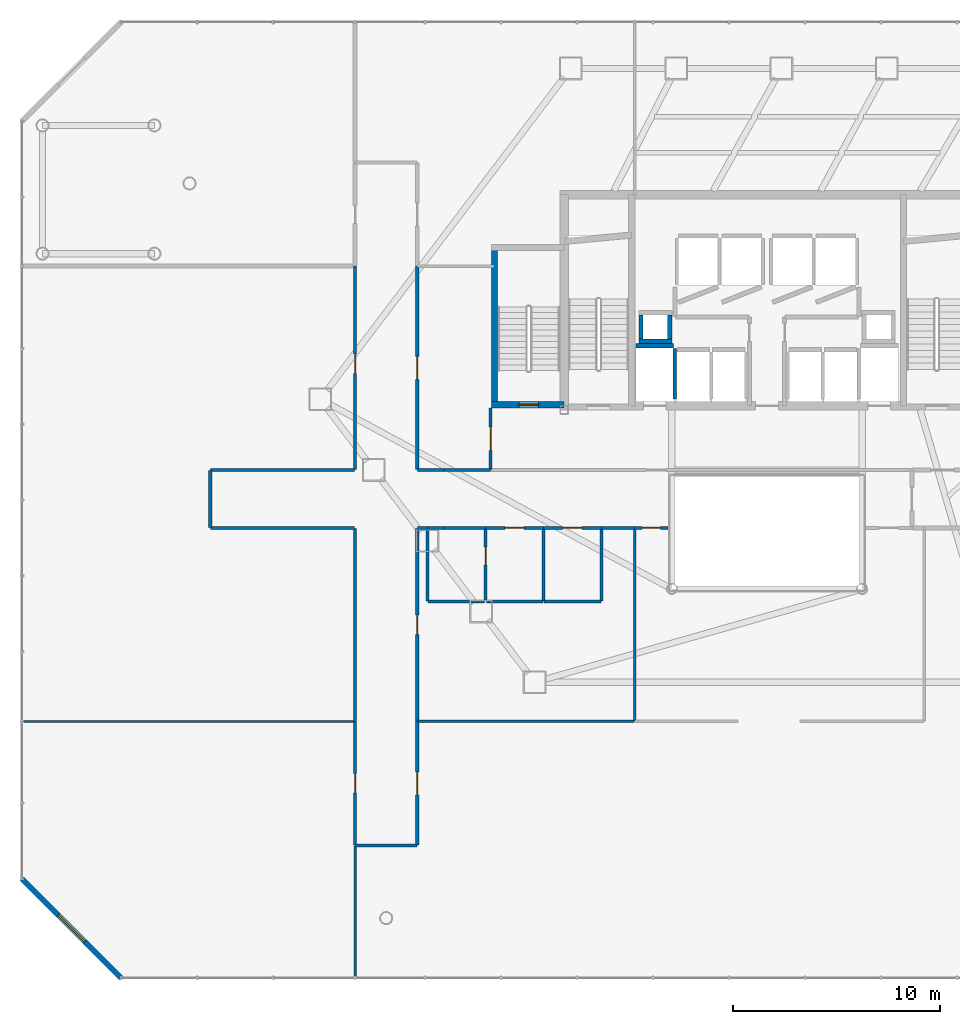
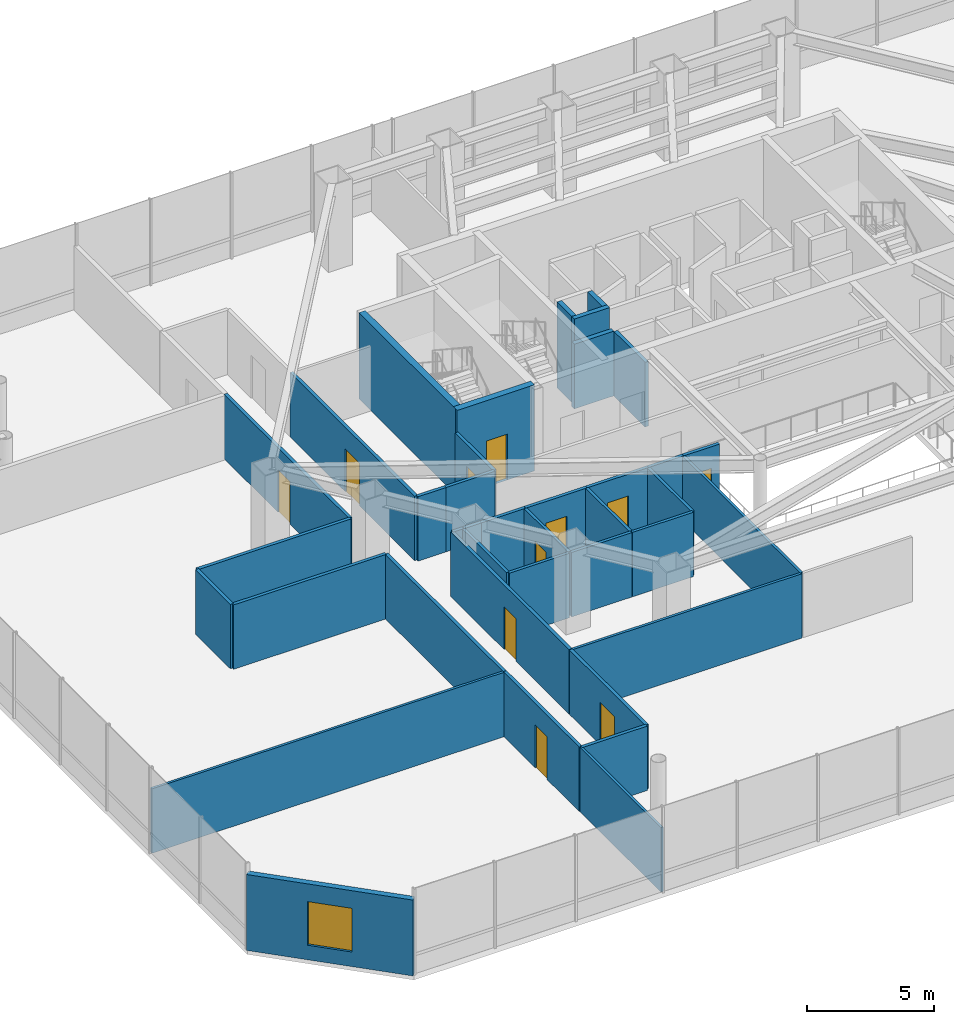
# One storey, part 34 of 37: 39 walls, 11 doors, 1 window, 12 openings.
"""IFC4 building model written with IfcOpenShell, lengths in metres."""

from ifc_helpers import new_model, si_unit, direction, frame, frame_2d, origin, place, context, subcontext, project, spatial, rectangle, extrude, material, layer, layer_set, type_object, element, fill, save


model = new_model("IFC4")

# Units and contexts
model_context = context("Model", 3, precision=1e-05, world=origin(), true_north=direction((0.0, 1.0)))
body_context = subcontext(model_context, "Body", "Model", "MODEL_VIEW")
ifc_project = project(units=[si_unit("LENGTHUNIT", "METRE"), si_unit("AREAUNIT", "SQUARE_METRE"), si_unit("VOLUMEUNIT", "CUBIC_METRE"), si_unit("PLANEANGLEUNIT", "RADIAN"), si_unit("MASSUNIT", "GRAM", prefix="KILO")], contexts=[model_context])

# Site, building, storey
site_placement = place(None, origin())
site = spatial("IfcSite", under=ifc_project, at=site_placement, CompositionType="ELEMENT")
building_placement = place(site_placement, origin())
building = spatial("IfcBuilding", under=site, at=building_placement, Name="Zarrinselat Tower", CompositionType="ELEMENT")
storey_placement = place(building_placement, frame((0.0, 0.0, 9.52001953125)))
storey = spatial("IfcBuildingStorey", under=building, at=storey_placement, Name="L02", CompositionType="ELEMENT", Elevation=9.52001953125)

# Wall, opening, window
ifc_material_1 = material(Name="Honed Cream Travertine Stone", Category="masonry")
ifc_layer_1 = layer(ifc_material_1, 0.260009765625)
ifc_layer_set_1 = layer_set([ifc_layer_1], Name="Honed Cream Travertine Stone")
wall_type_1 = type_object("IfcWallType", Name="WAL-EXT-STONE-260", PredefinedType="STANDARD", material=ifc_layer_set_1)
wall_1_placement = place(storey_placement, frame((2.39990234375, 10.39990234375, 0.0), z_axis=(0.0, 0.0, 1.0), x_axis=(0.707124763888, -0.707088798028, 0.0)))
wall_1 = element("IfcWall", 1, at=wall_1_placement, inside=storey, type_object=wall_type_1, Name="L02 Chamfered Stone Corner Wall 7", PredefinedType="STANDARD", context=body_context, shape_type="SweptSolid", body=[
    extrude(rectangle(XDim=6.7880859375, YDim=0.260009765625, at=frame_2d((3.39404296875, 0.0))), origin(), (0.0, 0.0, 1.0), 3.64990234375),
])
opening_1_placement = place(wall_1_placement, frame((2.494140625, 0.0, 0.699951171875)))
opening_1 = element("IfcOpeningElement", 2, at=opening_1_placement, cuts=wall_1, Name="Opening WN-2", PredefinedType="OPENING", context=body_context, shape_type="SweptSolid", body=[
    extrude(rectangle(XDim=1.800048828125, YDim=2.10009765625, at=frame_2d((0.89990234375, 1.050048828125))), frame((0.0, 0.139892578125, 0.0), z_axis=(0.0, -1.0, 0.0), x_axis=(1.0, 0.0, 0.0)), (0.0, 0.0, 1.0), 0.280029296875),
])
ifc_material_2 = material(Name="Double Low-E Laminated Solar Glass", Category="glass")
window_type = type_object("IfcWindowType", Name="WIN-GALLERY-1800", PartitioningType="SINGLE_PANEL", PredefinedType="WINDOW", material=ifc_material_2)
window_placement = place(opening_1_placement, origin())
window = element("IfcWindow", 3, at=window_placement, inside=storey, type_object=window_type, Name="L02 Corner Gallery Window 7", OverallHeight=2.10009765625, OverallWidth=1.800048828125, PartitioningType="SINGLE_PANEL", PredefinedType="WINDOW", context=body_context, shape_type="SweptSolid", body=[
    extrude(rectangle(XDim=1.800048828125, YDim=2.10009765625, at=frame_2d((0.89990234375, 1.050048828125))), frame((0.0, 0.030029296875, 0.0), z_axis=(0.0, -1.0, 0.0), x_axis=(1.0, 0.0, 0.0)), (0.0, 0.0, 1.0), 0.06005859375),
])
fill(opening_1, window)

# Wall, opening, door
ifc_material_3 = material(Name="Fire-Rated Gypsum Board Partition", Category="gypsum")
ifc_layer_2 = layer(ifc_material_3, 0.14990234375)
ifc_layer_set_2 = layer_set([ifc_layer_2], Name="Fire-Rated Gypsum Board Partition")
wall_type_2 = type_object("IfcWallType", Name="WAL-PART-EI60", PredefinedType="PARTITIONING", material=ifc_layer_set_2)
wall_2_placement = place(storey_placement, frame((25.050048828125, 30.169921875, 0.0), z_axis=(0.0, 0.0, 1.0), x_axis=(0.0, 1.0, 0.0)))
wall_2 = element("IfcWall", 4, at=wall_2_placement, inside=storey, type_object=wall_type_2, Name="L02 Partition Wall 9", PredefinedType="PARTITIONING", context=body_context, shape_type="SweptSolid", body=[
    extrude(rectangle(XDim=2.97998046875, YDim=0.14990234375, at=frame_2d((1.489990234375, 0.0))), origin(), (0.0, 0.0, 1.0), 3.096923828125),
])
opening_2_placement = place(wall_2_placement, frame((0.929931640625, 0.0, 0.0)))
opening_2 = element("IfcOpeningElement", 5, at=opening_2_placement, cuts=wall_2, Name="Opening ID-02", PredefinedType="OPENING", context=body_context, shape_type="SweptSolid", body=[
    extrude(rectangle(XDim=1.1201171875, YDim=2.050048828125, at=frame_2d((0.56005859375, 1.02490234375))), frame((0.0, 0.0849609375, 0.0), z_axis=(0.0, -1.0, 0.0), x_axis=(1.0, 0.0, 0.0)), (0.0, 0.0, 1.0), 0.169921875),
])
ifc_material_4 = material(Name="Steel S355J2", Category="steel")
door_type_1 = type_object("IfcDoorType", Name="DR-INT-FD60-W", OperationType="NOTDEFINED", PredefinedType="DOOR", material=ifc_material_4)
door_1_placement = place(opening_2_placement, origin())
door_1 = element("IfcDoor", 6, at=door_1_placement, inside=storey, type_object=door_type_1, Name="L02 Interior Door P9", OperationType="SINGLE_SWING_RIGHT", OverallHeight=2.050048828125, OverallWidth=1.1201171875, PredefinedType="DOOR", context=body_context, shape_type="SweptSolid", body=[
    extrude(rectangle(XDim=1.1201171875, YDim=2.050048828125, at=frame_2d((0.56005859375, 1.02490234375))), frame((0.0, 0.02490234375, 0.0), z_axis=(0.0, -1.0, 0.0), x_axis=(1.0, 0.0, 0.0)), (0.0, 0.0, 1.0), 0.050048828125),
])
fill(opening_2, door_1)

# Walls
wall_3_placement = place(storey_placement, frame((22.800048828125, 27.35009765625, 0.0), z_axis=(0.0, 0.0, 1.0), x_axis=(1.0, 0.0, 0.0)))
element("IfcWall", 7, at=wall_3_placement, inside=storey, type_object=wall_type_2, Name="L02 Partition Wall 13", PredefinedType="PARTITIONING", context=body_context, shape_type="SweptSolid", body=[
    extrude(rectangle(XDim=1.994873046875, YDim=0.14990234375, at=frame_2d((0.99755859375, 0.0))), origin(), (0.0, 0.0, 1.0), 3.096923828125),
])
wall_4_placement = place(storey_placement, frame((22.0048828125, 27.35009765625, 0.0), z_axis=(0.0, 0.0, 1.0), x_axis=(1.0, 0.0, 0.0)))
element("IfcWall", 8, at=wall_4_placement, inside=storey, type_object=wall_type_2, Name="L02 Partition Wall 14", PredefinedType="PARTITIONING", context=body_context, shape_type="SweptSolid", body=[
    extrude(rectangle(XDim=0.795166015625, YDim=0.14990234375, at=frame_2d((0.3974609375, 0.0))), origin(), (0.0, 0.0, 1.0), 3.096923828125),
])

# Wall, opening, door
wall_5_placement = place(storey_placement, frame((24.804931640625, 27.35009765625, 0.0), z_axis=(0.0, 0.0, 1.0), x_axis=(1.0, 0.0, 0.0)))
wall_5 = element("IfcWall", 9, at=wall_5_placement, inside=storey, type_object=wall_type_2, Name="L02 Partition Wall 15", PredefinedType="PARTITIONING", context=body_context, shape_type="SweptSolid", body=[
    extrude(rectangle(XDim=2.7900390625, YDim=0.14990234375, at=frame_2d((1.39501953125, 0.0))), origin(), (0.0, 0.0, 1.0), 3.096923828125),
])
opening_3_placement = place(wall_5_placement, frame((0.925048828125, 0.0, 0.0)))
opening_3 = element("IfcOpeningElement", 10, at=opening_3_placement, cuts=wall_5, Name="Opening ID-04", PredefinedType="OPENING", context=body_context, shape_type="SweptSolid", body=[
    extrude(rectangle(XDim=0.93994140625, YDim=2.050048828125, at=frame_2d((0.469970703125, 1.02490234375))), frame((0.0, 0.0849609375, 0.0), z_axis=(0.0, -1.0, 0.0), x_axis=(1.0, 0.0, 0.0)), (0.0, 0.0, 1.0), 0.169921875),
])
ifc_material_5 = material(Name="Fire-Rated Gypsum Board Partition")
door_type_2 = type_object("IfcDoorType", Name="DR-INT-FD30-ENT", OperationType="NOTDEFINED", PredefinedType="DOOR", material=ifc_material_5)
door_2_placement = place(opening_3_placement, origin())
door_2 = element("IfcDoor", 11, at=door_2_placement, inside=storey, type_object=door_type_2, Name="L02 Interior Door P15", OperationType="SINGLE_SWING_RIGHT", OverallHeight=2.050048828125, OverallWidth=0.93994140625, PredefinedType="DOOR", context=body_context, shape_type="SweptSolid", body=[
    extrude(rectangle(XDim=0.93994140625, YDim=2.050048828125, at=frame_2d((0.469970703125, 1.02490234375))), frame((0.0, 0.02490234375, 0.0), z_axis=(0.0, -1.0, 0.0), x_axis=(1.0, 0.0, 0.0)), (0.0, 0.0, 1.0), 0.050048828125),
])
fill(opening_3, door_2)

wall_6_placement = place(storey_placement, frame((27.60498046875, 27.35009765625, 0.0), z_axis=(0.0, 0.0, 1.0), x_axis=(1.0, 0.0, 0.0)))
wall_6 = element("IfcWall", 12, at=wall_6_placement, inside=storey, type_object=wall_type_2, Name="L02 Partition Wall 16", PredefinedType="PARTITIONING", context=body_context, shape_type="SweptSolid", body=[
    extrude(rectangle(XDim=2.7900390625, YDim=0.14990234375, at=frame_2d((1.39501953125, 0.0))), origin(), (0.0, 0.0, 1.0), 3.096923828125),
])
opening_4_placement = place(wall_6_placement, frame((0.925048828125, 0.0, 0.0)))
opening_4 = element("IfcOpeningElement", 13, at=opening_4_placement, cuts=wall_6, Name="Opening ID-04", PredefinedType="OPENING", context=body_context, shape_type="SweptSolid", body=[
    extrude(rectangle(XDim=0.93994140625, YDim=2.050048828125, at=frame_2d((0.469970703125, 1.02490234375))), frame((0.0, 0.0849609375, 0.0), z_axis=(0.0, -1.0, 0.0), x_axis=(1.0, 0.0, 0.0)), (0.0, 0.0, 1.0), 0.169921875),
])
door_3_placement = place(opening_4_placement, origin())
door_3 = element("IfcDoor", 14, at=door_3_placement, inside=storey, type_object=door_type_2, Name="L02 Interior Door P16", OperationType="SINGLE_SWING_LEFT", OverallHeight=2.050048828125, OverallWidth=0.93994140625, PredefinedType="DOOR", context=body_context, shape_type="SweptSolid", body=[
    extrude(rectangle(XDim=0.93994140625, YDim=2.050048828125, at=frame_2d((0.469970703125, 1.02490234375))), frame((0.0, 0.02490234375, 0.0), z_axis=(0.0, -1.0, 0.0), x_axis=(1.0, 0.0, 0.0)), (0.0, 0.0, 1.0), 0.050048828125),
])
fill(opening_4, door_3)

wall_7_placement = place(storey_placement, frame((21.5, 12.02001953125, 0.0), z_axis=(0.0, 0.0, 1.0), x_axis=(0.0, 1.0, 0.0)))
wall_7 = element("IfcWall", 15, at=wall_7_placement, inside=storey, type_object=wall_type_2, Name="L02 Partition Wall 17", PredefinedType="PARTITIONING", context=body_context, shape_type="SweptSolid", body=[
    extrude(rectangle(XDim=5.97509765625, YDim=0.14990234375, at=frame_2d((2.987548828125, 0.0))), origin(), (0.0, 0.0, 1.0), 3.096923828125),
])
opening_5_placement = place(wall_7_placement, frame((2.427490234375, 0.0, 0.0)))
opening_5 = element("IfcOpeningElement", 16, at=opening_5_placement, cuts=wall_7, Name="Opening ID-02", PredefinedType="OPENING", context=body_context, shape_type="SweptSolid", body=[
    extrude(rectangle(XDim=1.1201171875, YDim=2.050048828125, at=frame_2d((0.56005859375, 1.02490234375))), frame((0.0, 0.0849609375, 0.0), z_axis=(0.0, -1.0, 0.0), x_axis=(1.0, 0.0, 0.0)), (0.0, 0.0, 1.0), 0.169921875),
])
door_4_placement = place(opening_5_placement, origin())
door_4 = element("IfcDoor", 17, at=door_4_placement, inside=storey, type_object=door_type_1, Name="L02 Interior Door P17", OperationType="SINGLE_SWING_RIGHT", OverallHeight=2.050048828125, OverallWidth=1.1201171875, PredefinedType="DOOR", context=body_context, shape_type="SweptSolid", body=[
    extrude(rectangle(XDim=1.1201171875, YDim=2.050048828125, at=frame_2d((0.56005859375, 1.02490234375))), frame((0.0, 0.02490234375, 0.0), z_axis=(0.0, -1.0, 0.0), x_axis=(1.0, 0.0, 0.0)), (0.0, 0.0, 1.0), 0.050048828125),
])
fill(opening_5, door_4)

# Wall
wall_8_placement = place(storey_placement, frame((18.52001953125, 12.0, 0.0), z_axis=(0.0, 0.0, 1.0), x_axis=(1.0, 0.0, 0.0)))
element("IfcWall", 18, at=wall_8_placement, inside=storey, type_object=wall_type_2, Name="L02 Partition Wall 18", PredefinedType="PARTITIONING", context=body_context, shape_type="SweptSolid", body=[
    extrude(rectangle(XDim=2.9599609375, YDim=0.14990234375, at=frame_2d((1.47998046875, 0.0))), origin(), (0.0, 0.0, 1.0), 3.096923828125),
])

# Wall, opening, door
wall_9_placement = place(storey_placement, frame((18.5, 12.02001953125, 0.0), z_axis=(0.0, 0.0, 1.0), x_axis=(0.0, 1.0, 0.0)))
wall_9 = element("IfcWall", 19, at=wall_9_placement, inside=storey, type_object=wall_type_2, Name="L02 Partition Wall 19", PredefinedType="PARTITIONING", context=body_context, shape_type="SweptSolid", body=[
    extrude(rectangle(XDim=5.97509765625, YDim=0.14990234375, at=frame_2d((2.987548828125, 0.0))), origin(), (0.0, 0.0, 1.0), 3.096923828125),
])
opening_6_placement = place(wall_9_placement, frame((2.517578125, 0.0, 0.0)))
opening_6 = element("IfcOpeningElement", 20, at=opening_6_placement, cuts=wall_9, Name="Opening ID-04", PredefinedType="OPENING", context=body_context, shape_type="SweptSolid", body=[
    extrude(rectangle(XDim=0.93994140625, YDim=2.050048828125, at=frame_2d((0.469970703125, 1.02490234375))), frame((0.0, 0.0849609375, 0.0), z_axis=(0.0, -1.0, 0.0), x_axis=(1.0, 0.0, 0.0)), (0.0, 0.0, 1.0), 0.169921875),
])
door_5_placement = place(opening_6_placement, origin())
door_5 = element("IfcDoor", 21, at=door_5_placement, inside=storey, type_object=door_type_2, Name="L02 Interior Door P19", OperationType="SINGLE_SWING_LEFT", OverallHeight=2.050048828125, OverallWidth=0.93994140625, PredefinedType="DOOR", context=body_context, shape_type="SweptSolid", body=[
    extrude(rectangle(XDim=0.93994140625, YDim=2.050048828125, at=frame_2d((0.469970703125, 1.02490234375))), frame((0.0, 0.02490234375, 0.0), z_axis=(0.0, -1.0, 0.0), x_axis=(1.0, 0.0, 0.0)), (0.0, 0.0, 1.0), 0.050048828125),
])
fill(opening_6, door_5)

# Walls
wall_10_placement = place(storey_placement, frame((30.405029296875, 27.35009765625, 0.0), z_axis=(0.0, 0.0, 1.0), x_axis=(1.0, 0.0, 0.0)))
element("IfcWall", 22, at=wall_10_placement, inside=storey, type_object=wall_type_2, Name="L02 Partition Wall 20", PredefinedType="PARTITIONING", context=body_context, shape_type="SweptSolid", body=[
    extrude(rectangle(XDim=1.590087890625, YDim=0.14990234375, at=frame_2d((0.794921875, 0.0))), origin(), (0.0, 0.0, 1.0), 3.096923828125),
])
wall_11_placement = place(storey_placement, frame((21.52001953125, 27.35009765625, 0.0), z_axis=(0.0, 0.0, 1.0), x_axis=(1.0, 0.0, 0.0)))
element("IfcWall", 23, at=wall_11_placement, inside=storey, type_object=wall_type_2, Name="L02 Partition Wall 21", PredefinedType="PARTITIONING", context=body_context, shape_type="SweptSolid", body=[
    extrude(rectangle(XDim=0.47509765625, YDim=0.14990234375, at=frame_2d((0.237548828125, 0.0))), origin(), (0.0, 0.0, 1.0), 3.096923828125),
])

# Wall, opening, door
wall_12_placement = place(storey_placement, frame((21.5, 18.0048828125, 0.0), z_axis=(0.0, 0.0, 1.0), x_axis=(0.0, 1.0, 0.0)))
wall_12 = element("IfcWall", 24, at=wall_12_placement, inside=storey, type_object=wall_type_2, Name="L02 Partition Wall 22", PredefinedType="PARTITIONING", context=body_context, shape_type="SweptSolid", body=[
    extrude(rectangle(XDim=9.3251953125, YDim=0.14990234375, at=frame_2d((4.66259765625, 0.0))), origin(), (0.0, 0.0, 1.0), 3.096923828125),
])
opening_7_placement = place(wall_12_placement, frame((4.1923828125, 0.0, 0.0)))
opening_7 = element("IfcOpeningElement", 25, at=opening_7_placement, cuts=wall_12, Name="Opening ID-04", PredefinedType="OPENING", context=body_context, shape_type="SweptSolid", body=[
    extrude(rectangle(XDim=0.93994140625, YDim=2.050048828125, at=frame_2d((0.469970703125, 1.02490234375))), frame((0.0, 0.0849609375, 0.0), z_axis=(0.0, -1.0, 0.0), x_axis=(1.0, 0.0, 0.0)), (0.0, 0.0, 1.0), 0.169921875),
])
door_6_placement = place(opening_7_placement, origin())
door_6 = element("IfcDoor", 26, at=door_6_placement, inside=storey, type_object=door_type_2, Name="L02 Interior Door P22", OperationType="SINGLE_SWING_RIGHT", OverallHeight=2.050048828125, OverallWidth=0.93994140625, PredefinedType="DOOR", context=body_context, shape_type="SweptSolid", body=[
    extrude(rectangle(XDim=0.93994140625, YDim=2.050048828125, at=frame_2d((0.469970703125, 1.02490234375))), frame((0.0, 0.02490234375, 0.0), z_axis=(0.0, -1.0, 0.0), x_axis=(1.0, 0.0, 0.0)), (0.0, 0.0, 1.0), 0.050048828125),
])
fill(opening_7, door_6)

wall_13_placement = place(storey_placement, frame((32.0048828125, 27.35009765625, 0.0), z_axis=(0.0, 0.0, 1.0), x_axis=(1.0, 0.0, 0.0)))
wall_13 = element("IfcWall", 27, at=wall_13_placement, inside=storey, type_object=wall_type_2, Name="L02 Partition Wall 23", PredefinedType="PARTITIONING", context=body_context, shape_type="SweptSolid", body=[
    extrude(rectangle(XDim=1.615234375, YDim=0.14990234375, at=frame_2d((0.8076171875, 0.0))), origin(), (0.0, 0.0, 1.0), 3.096923828125),
])
opening_8_placement = place(wall_13_placement, frame((0.367431640625, 0.0, 0.0)))
opening_8 = element("IfcOpeningElement", 28, at=opening_8_placement, cuts=wall_13, Name="Opening ID-03", PredefinedType="OPENING", context=body_context, shape_type="SweptSolid", body=[
    extrude(rectangle(XDim=0.8798828125, YDim=2.050048828125, at=frame_2d((0.43994140625, 1.02490234375))), frame((0.0, 0.0849609375, 0.0), z_axis=(0.0, -1.0, 0.0), x_axis=(1.0, 0.0, 0.0)), (0.0, 0.0, 1.0), 0.169921875),
])
ifc_material_6 = material(Name="Steel S355J2", Category="steel")
door_type_3 = type_object("IfcDoorType", Name="DR-INT-FD60-S", OperationType="NOTDEFINED", PredefinedType="DOOR", material=ifc_material_6)
door_7_placement = place(opening_8_placement, origin())
door_7 = element("IfcDoor", 29, at=door_7_placement, inside=storey, type_object=door_type_3, Name="L02 Interior Door P23", OperationType="SINGLE_SWING_LEFT", OverallHeight=2.050048828125, OverallWidth=0.8798828125, PredefinedType="DOOR", context=body_context, shape_type="SweptSolid", body=[
    extrude(rectangle(XDim=0.8798828125, YDim=2.050048828125, at=frame_2d((0.43994140625, 1.02490234375))), frame((0.0, 0.02490234375, 0.0), z_axis=(0.0, -1.0, 0.0), x_axis=(1.0, 0.0, 0.0)), (0.0, 0.0, 1.0), 0.050048828125),
])
fill(opening_8, door_7)

# Walls
wall_14_placement = place(storey_placement, frame((18.5, 18.0048828125, 0.0), z_axis=(0.0, 0.0, 1.0), x_axis=(0.0, 1.0, 0.0)))
element("IfcWall", 30, at=wall_14_placement, inside=storey, type_object=wall_type_2, Name="L02 Partition Wall 25", PredefinedType="PARTITIONING", context=body_context, shape_type="SweptSolid", body=[
    extrude(rectangle(XDim=9.3251953125, YDim=0.14990234375, at=frame_2d((4.66259765625, 0.0))), origin(), (0.0, 0.0, 1.0), 3.096923828125),
])
wall_15_placement = place(storey_placement, frame((11.52001953125, 27.35009765625, 0.0), z_axis=(0.0, 0.0, 1.0), x_axis=(1.0, 0.0, 0.0)))
element("IfcWall", 31, at=wall_15_placement, inside=storey, type_object=wall_type_2, Name="L02 Partition Wall 26", PredefinedType="PARTITIONING", context=body_context, shape_type="SweptSolid", body=[
    extrude(rectangle(XDim=6.9599609375, YDim=0.14990234375, at=frame_2d((3.47998046875, 0.0))), origin(), (0.0, 0.0, 1.0), 3.096923828125),
])
wall_16_placement = place(storey_placement, frame((11.5, 27.3701171875, 0.0), z_axis=(0.0, 0.0, 1.0), x_axis=(0.0, 1.0, 0.0)))
element("IfcWall", 32, at=wall_16_placement, inside=storey, type_object=wall_type_2, Name="L02 Partition Wall 27", PredefinedType="PARTITIONING", context=body_context, shape_type="SweptSolid", body=[
    extrude(rectangle(XDim=2.759765625, YDim=0.14990234375, at=frame_2d((1.3798828125, 0.0))), origin(), (0.0, 0.0, 1.0), 3.096923828125),
])
wall_17_placement = place(storey_placement, frame((11.52001953125, 30.14990234375, 0.0), z_axis=(0.0, 0.0, 1.0), x_axis=(1.0, 0.0, 0.0)))
element("IfcWall", 33, at=wall_17_placement, inside=storey, type_object=wall_type_2, Name="L02 Partition Wall 28", PredefinedType="PARTITIONING", context=body_context, shape_type="SweptSolid", body=[
    extrude(rectangle(XDim=6.9599609375, YDim=0.14990234375, at=frame_2d((3.47998046875, 0.0))), origin(), (0.0, 0.0, 1.0), 3.096923828125),
])

# Wall, opening, door
wall_18_placement = place(storey_placement, frame((18.5, 30.169921875, 0.0), z_axis=(0.0, 0.0, 1.0), x_axis=(0.0, 1.0, 0.0)))
wall_18 = element("IfcWall", 34, at=wall_18_placement, inside=storey, type_object=wall_type_2, Name="L02 Partition Wall 29", PredefinedType="PARTITIONING", context=body_context, shape_type="SweptSolid", body=[
    extrude(rectangle(XDim=9.8251953125, YDim=0.14990234375, at=frame_2d((4.91259765625, 0.0))), origin(), (0.0, 0.0, 1.0), 3.096923828125),
])
opening_9_placement = place(wall_18_placement, frame((4.642578125, 0.0, 0.0)))
opening_9 = element("IfcOpeningElement", 35, at=opening_9_placement, cuts=wall_18, Name="Opening ID-04", PredefinedType="OPENING", context=body_context, shape_type="SweptSolid", body=[
    extrude(rectangle(XDim=0.93994140625, YDim=2.050048828125, at=frame_2d((0.469970703125, 1.02490234375))), frame((0.0, 0.0849609375, 0.0), z_axis=(0.0, -1.0, 0.0), x_axis=(1.0, 0.0, 0.0)), (0.0, 0.0, 1.0), 0.169921875),
])
door_8_placement = place(opening_9_placement, origin())
door_8 = element("IfcDoor", 36, at=door_8_placement, inside=storey, type_object=door_type_2, Name="L02 Interior Door P29", OperationType="SINGLE_SWING_LEFT", OverallHeight=2.050048828125, OverallWidth=0.93994140625, PredefinedType="DOOR", context=body_context, shape_type="SweptSolid", body=[
    extrude(rectangle(XDim=0.93994140625, YDim=2.050048828125, at=frame_2d((0.469970703125, 1.02490234375))), frame((0.0, 0.02490234375, 0.0), z_axis=(0.0, -1.0, 0.0), x_axis=(1.0, 0.0, 0.0)), (0.0, 0.0, 1.0), 0.050048828125),
])
fill(opening_9, door_8)

wall_19_placement = place(storey_placement, frame((21.5, 30.169921875, 0.0), z_axis=(0.0, 0.0, 1.0), x_axis=(0.0, 1.0, 0.0)))
wall_19 = element("IfcWall", 37, at=wall_19_placement, inside=storey, type_object=wall_type_2, Name="L02 Partition Wall 30", PredefinedType="PARTITIONING", context=body_context, shape_type="SweptSolid", body=[
    extrude(rectangle(XDim=9.8251953125, YDim=0.14990234375, at=frame_2d((4.91259765625, 0.0))), origin(), (0.0, 0.0, 1.0), 3.096923828125),
])
opening_10_placement = place(wall_19_placement, frame((4.3525390625, 0.0, 0.0)))
opening_10 = element("IfcOpeningElement", 38, at=opening_10_placement, cuts=wall_19, Name="Opening ID-02", PredefinedType="OPENING", context=body_context, shape_type="SweptSolid", body=[
    extrude(rectangle(XDim=1.1201171875, YDim=2.050048828125, at=frame_2d((0.56005859375, 1.02490234375))), frame((0.0, 0.0849609375, 0.0), z_axis=(0.0, -1.0, 0.0), x_axis=(1.0, 0.0, 0.0)), (0.0, 0.0, 1.0), 0.169921875),
])
door_9_placement = place(opening_10_placement, origin())
door_9 = element("IfcDoor", 39, at=door_9_placement, inside=storey, type_object=door_type_1, Name="L02 Interior Door P30", OperationType="SINGLE_SWING_RIGHT", OverallHeight=2.050048828125, OverallWidth=1.1201171875, PredefinedType="DOOR", context=body_context, shape_type="SweptSolid", body=[
    extrude(rectangle(XDim=1.1201171875, YDim=2.050048828125, at=frame_2d((0.56005859375, 1.02490234375))), frame((0.0, 0.02490234375, 0.0), z_axis=(0.0, -1.0, 0.0), x_axis=(1.0, 0.0, 0.0)), (0.0, 0.0, 1.0), 0.050048828125),
])
fill(opening_10, door_9)

# Walls
wall_20_placement = place(storey_placement, frame((21.52001953125, 30.14990234375, 0.0), z_axis=(0.0, 0.0, 1.0), x_axis=(1.0, 0.0, 0.0)))
element("IfcWall", 40, at=wall_20_placement, inside=storey, type_object=wall_type_2, Name="L02 Partition Wall 31", PredefinedType="PARTITIONING", context=body_context, shape_type="SweptSolid", body=[
    extrude(rectangle(XDim=1.280029296875, YDim=0.14990234375, at=frame_2d((0.64013671875, 0.0))), origin(), (0.0, 0.0, 1.0), 3.096923828125),
])
wall_21_placement = place(storey_placement, frame((22.800048828125, 30.14990234375, 0.0), z_axis=(0.0, 0.0, 1.0), x_axis=(1.0, 0.0, 0.0)))
element("IfcWall", 41, at=wall_21_placement, inside=storey, type_object=wall_type_2, Name="L02 Partition Wall 32", PredefinedType="PARTITIONING", context=body_context, shape_type="SweptSolid", body=[
    extrude(rectangle(XDim=2.22998046875, YDim=0.14990234375, at=frame_2d((1.114990234375, 0.0))), origin(), (0.0, 0.0, 1.0), 3.096923828125),
])
ifc_material_7 = material(Name="Extruded Aluminium Alloy EN AW-6063 T6", Category="aluminium")
ifc_layer_3 = layer(ifc_material_7, 0.114990234375)
ifc_layer_set_3 = layer_set([ifc_layer_3], Name="Extruded Aluminium Alloy EN AW-6063 T6")
wall_type_3 = type_object("IfcWallType", Name="WAL-PART-MOV", PredefinedType="MOVABLE", material=ifc_layer_set_3)
wall_22_placement = place(storey_placement, frame((18.5, 5.614990234375, 0.0), z_axis=(0.0, 0.0, 1.0), x_axis=(0.0, 1.0, 0.0)))
element("IfcWall", 42, at=wall_22_placement, inside=storey, type_object=wall_type_3, Name="L02 Partition Wall 43", PredefinedType="MOVABLE", context=body_context, shape_type="SweptSolid", body=[
    extrude(rectangle(XDim=6.364990234375, YDim=0.114990234375, at=frame_2d((3.1826171875, 0.0))), origin(), (0.0, 0.0, 1.0), 3.096923828125),
])
wall_23_placement = place(storey_placement, frame((2.4150390625, 18.0, 0.0), z_axis=(0.0, 0.0, 1.0), x_axis=(1.0, 0.0, 0.0)))
element("IfcWall", 43, at=wall_23_placement, inside=storey, type_object=wall_type_3, Name="L02 Partition Wall 49", PredefinedType="MOVABLE", context=body_context, shape_type="SweptSolid", body=[
    extrude(rectangle(XDim=16.06494140625, YDim=0.114990234375, at=frame_2d((8.032470703125, 0.0))), origin(), (0.0, 0.0, 1.0), 3.096923828125),
])
ifc_material_8 = material(Name="Fire-Rated Gypsum Board Partition", Category="gypsum")
ifc_layer_4 = layer(ifc_material_8, 0.1201171875)
ifc_layer_set_4 = layer_set([ifc_layer_4], Name="Fire-Rated Gypsum Board Partition")
wall_type_4 = type_object("IfcWallType", Name="WAL-PART-STD", PredefinedType="PARTITIONING", material=ifc_layer_set_4)
wall_24_placement = place(storey_placement, frame((21.52001953125, 18.0, 0.0), z_axis=(0.0, 0.0, 1.0), x_axis=(1.0, 0.0, 0.0)))
element("IfcWall", 44, at=wall_24_placement, inside=storey, type_object=wall_type_4, Name="L02 Partition Wall 44", PredefinedType="PARTITIONING", context=body_context, shape_type="SweptSolid", body=[
    extrude(rectangle(XDim=10.4599609375, YDim=0.1201171875, at=frame_2d((5.22998046875, 0.0))), origin(), (0.0, 0.0, 1.0), 3.096923828125),
])
wall_25_placement = place(storey_placement, frame((32.0, 18.02001953125, 0.0), z_axis=(0.0, 0.0, 1.0), x_axis=(0.0, 1.0, 0.0)))
element("IfcWall", 45, at=wall_25_placement, inside=storey, type_object=wall_type_4, Name="L02 Partition Wall 50", PredefinedType="PARTITIONING", context=body_context, shape_type="SweptSolid", body=[
    extrude(rectangle(XDim=9.31005859375, YDim=0.1201171875, at=frame_2d((4.655029296875, 0.0))), origin(), (0.0, 0.0, 1.0), 3.096923828125),
])

# Wall, opening, door
ifc_material_9 = material(Name="Fire-Rated Gypsum Board Partition", Category="gypsum")
ifc_layer_5 = layer(ifc_material_9, 0.135009765625)
ifc_layer_set_5 = layer_set([ifc_layer_5], Name="Fire-Rated Gypsum Board Partition")
wall_type_5 = type_object("IfcWallType", Name="WAL-PART-WET", PredefinedType="PARTITIONING", material=ifc_layer_set_5)
wall_26_placement = place(storey_placement, frame((24.800048828125, 23.847900390625, 0.0), z_axis=(0.0, 0.0, 1.0), x_axis=(0.0, 1.0, 0.0)))
wall_26 = element("IfcWall", 46, at=wall_26_placement, inside=storey, type_object=wall_type_5, Name="L02 Partition Wall 36", PredefinedType="PARTITIONING", context=body_context, shape_type="SweptSolid", body=[
    extrude(rectangle(XDim=3.482177734375, YDim=0.135009765625, at=frame_2d((1.7412109375, 0.0))), origin(), (0.0, 0.0, 1.0), 3.096923828125),
])
opening_11_placement = place(wall_26_placement, frame((1.7109375, 0.0, 0.0)))
opening_11 = element("IfcOpeningElement", 47, at=opening_11_placement, cuts=wall_26, Name="Opening ID-06", PredefinedType="OPENING", context=body_context, shape_type="SweptSolid", body=[
    extrude(rectangle(XDim=0.860107421875, YDim=2.050048828125, at=frame_2d((0.43017578125, 1.02490234375))), frame((0.0, 0.077392578125, 0.0), z_axis=(0.0, -1.0, 0.0), x_axis=(1.0, 0.0, 0.0)), (0.0, 0.0, 1.0), 0.155029296875),
])
ifc_material_10 = material(Name="Extruded Aluminium Alloy EN AW-6063 T6", Category="aluminium")
door_type_4 = type_object("IfcDoorType", Name="DR-INT-WET-900", OperationType="NOTDEFINED", PredefinedType="DOOR", material=ifc_material_10)
door_10_placement = place(opening_11_placement, origin())
door_10 = element("IfcDoor", 48, at=door_10_placement, inside=storey, type_object=door_type_4, Name="L02 Interior Door P36", OperationType="SINGLE_SWING_LEFT", OverallHeight=2.050048828125, OverallWidth=0.860107421875, PredefinedType="DOOR", context=body_context, shape_type="SweptSolid", body=[
    extrude(rectangle(XDim=0.860107421875, YDim=2.050048828125, at=frame_2d((0.43017578125, 1.02490234375))), frame((0.0, 0.02490234375, 0.0), z_axis=(0.0, -1.0, 0.0), x_axis=(1.0, 0.0, 0.0)), (0.0, 0.0, 1.0), 0.050048828125),
])
fill(opening_11, door_10)

# Walls
wall_27_placement = place(storey_placement, frame((22.02001953125, 23.800048828125, 0.0), z_axis=(0.0, 0.0, 1.0), x_axis=(1.0, 0.0, 0.0)))
element("IfcWall", 49, at=wall_27_placement, inside=storey, type_object=wall_type_5, Name="L02 Partition Wall 37", PredefinedType="PARTITIONING", context=body_context, shape_type="SweptSolid", body=[
    extrude(rectangle(XDim=2.73193359375, YDim=0.135009765625, at=frame_2d((1.365966796875, 0.0))), origin(), (0.0, 0.0, 1.0), 3.096923828125),
])
for number, where, z_axis, x_axis, name in (
    (50, (22.0, 23.820068359375, 0.0), (0.0, 0.0, 1.0), (0.0, 1.0, 0.0), "L02 Partition Wall 38"),
    (51, (27.60009765625, 23.820068359375, 0.0), (0.0, 0.0, 1.0), (0.0, 1.0, 0.0), "L02 Partition Wall 39"),
):
    element("IfcWall", number, at=place(storey_placement, frame(where, z_axis=z_axis, x_axis=x_axis)), inside=storey, type_object=wall_type_5, Name=name, PredefinedType="PARTITIONING", context=body_context, shape_type="SweptSolid", body=[
        extrude(rectangle(XDim=3.510009765625, YDim=0.135009765625, at=frame_2d((1.7548828125, 0.0))), origin(), (0.0, 0.0, 1.0), 3.096923828125),
    ])
wall_28_placement = place(storey_placement, frame((24.847900390625, 23.800048828125, 0.0), z_axis=(0.0, 0.0, 1.0), x_axis=(1.0, 0.0, 0.0)))
element("IfcWall", 52, at=wall_28_placement, inside=storey, type_object=wall_type_5, Name="L02 Partition Wall 40", PredefinedType="PARTITIONING", context=body_context, shape_type="SweptSolid", body=[
    extrude(rectangle(XDim=2.732177734375, YDim=0.135009765625, at=frame_2d((1.3662109375, 0.0))), origin(), (0.0, 0.0, 1.0), 3.096923828125),
])
wall_29_placement = place(storey_placement, frame((27.6201171875, 23.800048828125, 0.0), z_axis=(0.0, 0.0, 1.0), x_axis=(1.0, 0.0, 0.0)))
element("IfcWall", 53, at=wall_29_placement, inside=storey, type_object=wall_type_5, Name="L02 Partition Wall 41", PredefinedType="PARTITIONING", context=body_context, shape_type="SweptSolid", body=[
    extrude(rectangle(XDim=2.759765625, YDim=0.135009765625, at=frame_2d((1.3798828125, 0.0))), origin(), (0.0, 0.0, 1.0), 3.096923828125),
])
wall_30_placement = place(storey_placement, frame((30.39990234375, 23.820068359375, 0.0), z_axis=(0.0, 0.0, 1.0), x_axis=(0.0, 1.0, 0.0)))
element("IfcWall", 54, at=wall_30_placement, inside=storey, type_object=wall_type_5, Name="L02 Partition Wall 42", PredefinedType="PARTITIONING", context=body_context, shape_type="SweptSolid", body=[
    extrude(rectangle(XDim=3.510009765625, YDim=0.135009765625, at=frame_2d((1.7548828125, 0.0))), origin(), (0.0, 0.0, 1.0), 3.096923828125),
])
ifc_material_11 = material(Name="Concrete C40/50", Category="concrete")
ifc_layer_6 = layer(ifc_material_11, 0.2099609375)
ifc_layer_set_6 = layer_set([ifc_layer_6], Name="Concrete C40/50")
wall_type_6 = type_object("IfcWallType", Name="WAL-SHAFT-210", PredefinedType="SOLIDWALL", material=ifc_layer_set_6)
wall_31_placement = place(storey_placement, frame((32.080078125, 36.155029296875, 0.0), z_axis=(0.0, 0.0, 1.0), x_axis=(1.0, 0.0, 0.0)))
element("IfcWall", 55, at=wall_31_placement, inside=storey, type_object=wall_type_6, Name="L02 Lift FFL1 North Shaft Wall", PredefinedType="SOLIDWALL", context=body_context, shape_type="SweptSolid", body=[
    extrude(rectangle(XDim=1.7998046875, YDim=0.2099609375, at=frame_2d((0.89990234375, 0.0))), origin(), (0.0, 0.0, 1.0), 3.112060546875),
])
wall_32_placement = place(storey_placement, frame((33.949951171875, 33.580078125, 0.0), z_axis=(0.0, 0.0, 1.0), x_axis=(0.0, 1.0, 0.0)))
element("IfcWall", 56, at=wall_32_placement, inside=storey, type_object=wall_type_6, Name="L02 Lift FFL1 E Shaft Wall", PredefinedType="SOLIDWALL", context=body_context, shape_type="SweptSolid", body=[
    extrude(rectangle(XDim=2.449951171875, YDim=0.159912109375, at=frame_2d((1.22509765625, 0.0))), origin(), (0.0, 0.0, 1.0), 3.112060546875),
])
wall_33_placement = place(storey_placement, frame((32.2099609375, 36.375, 0.0), z_axis=(0.0, 0.0, 1.0), x_axis=(1.0, 0.0, 0.0)))
element("IfcWall", 57, at=wall_33_placement, inside=storey, type_object=wall_type_6, Name="L02 Core Riser RSR-W S Shaft Wall", PredefinedType="SOLIDWALL", context=body_context, shape_type="SweptSolid", body=[
    extrude(rectangle(XDim=1.60009765625, YDim=0.2099609375, at=frame_2d((0.800048828125, 0.0))), origin(), (0.0, 0.0, 1.0), 4.139892578125),
])
for number, where, z_axis, x_axis, name in (
    (58, (32.31494140625, 36.485107421875, 0.0), (0.0, 0.0, 1.0), (0.0, 1.0, 0.0), "L02 Core Riser RSR-W W Shaft Wall"),
    (59, (33.705078125, 36.485107421875, 0.0), (0.0, 0.0, 1.0), (0.0, 1.0, 0.0), "L02 Core Riser RSR-W E Shaft Wall"),
):
    element("IfcWall", number, at=place(storey_placement, frame(where, z_axis=z_axis, x_axis=x_axis)), inside=storey, type_object=wall_type_6, Name=name, PredefinedType="SOLIDWALL", context=body_context, shape_type="SweptSolid", body=[
        extrude(rectangle(XDim=1.14990234375, YDim=0.2099609375, at=frame_2d((0.574951171875, 0.0))), origin(), (0.0, 0.0, 1.0), 4.139892578125),
    ])

# Wall, opening, door
ifc_material_12 = material(Name="Concrete C40/50", Category="concrete")
ifc_layer_7 = layer(ifc_material_12, 0.300048828125)
ifc_layer_set_7 = layer_set([ifc_layer_7], Name="Concrete C40/50")
wall_type_7 = type_object("IfcWallType", Name="WAL-SHEAR-300", PredefinedType="SHEAR", material=ifc_layer_set_7)
wall_34_placement = place(storey_placement, frame((25.080078125, 33.300048828125, 0.0), z_axis=(0.0, 0.0, 1.0), x_axis=(1.0, 0.0, 0.0)))
wall_34 = element("IfcWall", 60, at=wall_34_placement, inside=storey, type_object=wall_type_7, Name="L02 Stair 3 South Shear Wall", PredefinedType="SHEAR", context=body_context, shape_type="SweptSolid", body=[
    extrude(rectangle(XDim=3.52001953125, YDim=0.300048828125, at=frame_2d((1.760009765625, 0.0))), origin(), (0.0, 0.0, 1.0), 4.139892578125),
])
opening_12_placement = place(wall_34_placement, frame((1.3349609375, 0.0, 0.0)))
opening_12 = element("IfcOpeningElement", 61, at=opening_12_placement, cuts=wall_34, Name="Opening SD-02", PredefinedType="OPENING", context=body_context, shape_type="SweptSolid", body=[
    extrude(rectangle(XDim=0.949951171875, YDim=2.199951171875, at=frame_2d((0.47509765625, 1.10009765625))), frame((0.0, 0.159912109375, 0.0), z_axis=(0.0, -1.0, 0.0), x_axis=(1.0, 0.0, 0.0)), (0.0, 0.0, 1.0), 0.320068359375),
])
ifc_material_13 = material(Name="Steel S355J2", Category="steel")
door_type_5 = type_object("IfcDoorType", Name="DR-STAIR-1050", OperationType="NOTDEFINED", PredefinedType="DOOR", material=ifc_material_13)
door_11_placement = place(opening_12_placement, origin())
door_11 = element("IfcDoor", 62, at=door_11_placement, inside=storey, type_object=door_type_5, Name="L02 Exit Stair 3 Fire Door", OperationType="SINGLE_SWING_LEFT", OverallHeight=2.199951171875, OverallWidth=0.949951171875, PredefinedType="DOOR", context=body_context, shape_type="SweptSolid", body=[
    extrude(rectangle(XDim=0.949951171875, YDim=2.199951171875, at=frame_2d((0.47509765625, 1.10009765625))), frame((0.0, 0.02490234375, 0.0), z_axis=(0.0, -1.0, 0.0), x_axis=(1.0, 0.0, 0.0)), (0.0, 0.0, 1.0), 0.050048828125),
])
fill(opening_12, door_11)

# Wall
wall_35_placement = place(storey_placement, frame((25.22998046875, 33.300048828125, 0.0), z_axis=(0.0, 0.0, 1.0), x_axis=(0.0, 1.0, 0.0)))
element("IfcWall", 63, at=wall_35_placement, inside=storey, type_object=wall_type_7, Name="L02 Stair 3 West Shear Wall", PredefinedType="SHEAR", context=body_context, shape_type="SweptSolid", body=[
    extrude(rectangle(XDim=7.599853515625, YDim=0.300048828125, at=frame_2d((3.7998046875, 0.0))), origin(), (0.0, 0.0, 1.0), 4.139892578125),
])

save(model, "model.ifc")
